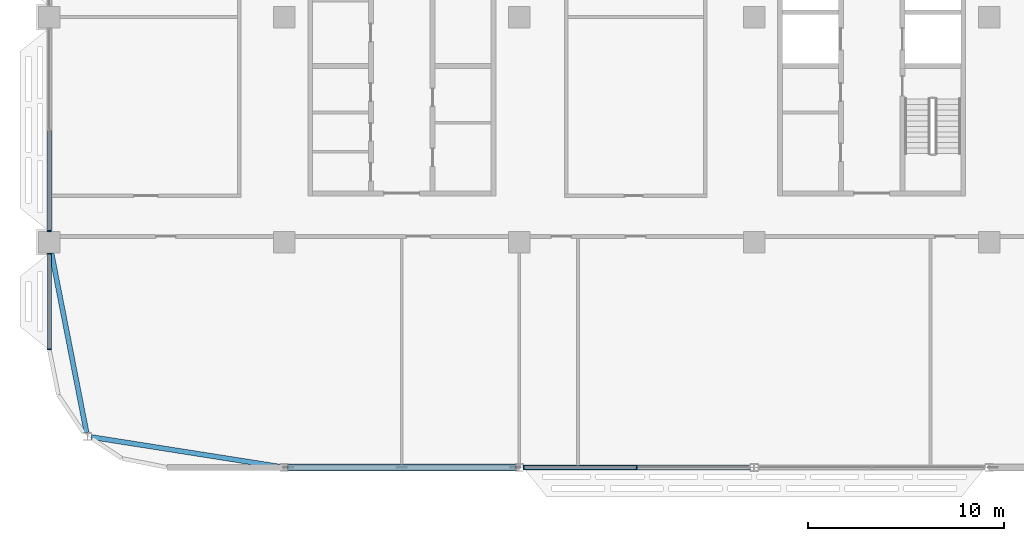
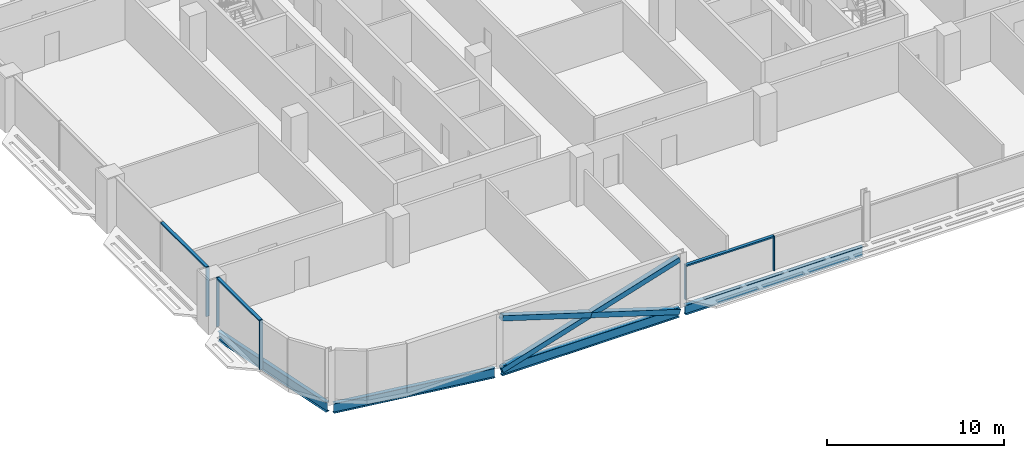
# One storey, part 4 of 30: 11 members, 4 beams, 3 elements without a shape of their own.
"""IFC4 building model written with IfcOpenShell, lengths in metres."""

from ifc_helpers import new_model, si_unit, direction, frame, origin, origin_2d, place, context, subcontext, project, spatial, rectangle, hollow_rectangle, i_section, extrude, material, material_profile, profile_set, type_object, element, aggregate, save


model = new_model("IFC4")

# Units and contexts
model_context = context("Model", 3, precision=1e-05, world=origin(), true_north=direction((0.0, 1.0)))
body_context = subcontext(model_context, "Body", "Model", "MODEL_VIEW")
ifc_project = project(units=[si_unit("LENGTHUNIT", "METRE"), si_unit("AREAUNIT", "SQUARE_METRE"), si_unit("VOLUMEUNIT", "CUBIC_METRE"), si_unit("PLANEANGLEUNIT", "RADIAN"), si_unit("MASSUNIT", "GRAM", prefix="KILO")], contexts=[model_context])

# Site, building, storey
site_placement = place(None, origin())
site = spatial("IfcSite", under=ifc_project, at=site_placement, CompositionType="ELEMENT")
building_placement = place(site_placement, origin())
building = spatial("IfcBuilding", under=site, at=building_placement, Name="Mahtab Terrace Research Tower", CompositionType="ELEMENT")
storey_placement = place(building_placement, frame((0.0, 0.0, 220.5)))
storey = spatial("IfcBuildingStorey", under=building, at=storey_placement, Name="L53", CompositionType="ELEMENT", Elevation=220.5)

# Members
ifc_material_1 = material(Name="Steel ASTM A500 Gr C", Category="steel")
ifc_material_profile_1 = material_profile(ifc_material_1, hollow_rectangle(XDim=0.355712890625, YDim=0.355712890625, WallThickness=0.015869140625, at=origin_2d()), Name="HSS14X14X5/8")
ifc_profile_set_1 = profile_set([ifc_material_profile_1], Name="Steel ASTM A500 Gr C")
member_type_1 = type_object("IfcMemberType", Name="HSS 14x14x5/8 brace XB141458", PredefinedType="BRACE", material=ifc_profile_set_1)
member_1_placement = place(storey_placement, frame((-29.79931640625, -23.0, -0.616455078125), z_axis=(0.954709972543, 0.0, 0.297538011566), x_axis=(0.0, 1.0, 0.0)))
element("IfcMember", 1, at=member_1_placement, inside=storey, type_object=member_type_1, Name="Exoskeleton brace L53 14 a", PredefinedType="BRACE", context=body_context, shape_type="SweptSolid", body=[
    extrude(hollow_rectangle(XDim=0.355712890625, YDim=0.355712890625, WallThickness=0.015869140625, at=origin_2d()), origin(), (0.0, 0.0, 1.0), 12.14892578125),
])
for number, where, z_axis, x_axis, name in (
    (2, (-18.20068359375, -23.0, -0.616455078125), (-0.954709972543, 0.0, 0.297538011566), (0.0, -1.0, 0.0), "Exoskeleton brace L53 14 b1"),
    (3, (-24.0, -23.0, 1.19091796875), (-0.954709972543, 0.0, 0.297538011566), (0.0, -1.0, 0.0), "Exoskeleton brace L53 14 b2"),
):
    element("IfcMember", number, at=place(storey_placement, frame(where, z_axis=z_axis, x_axis=x_axis)), inside=storey, type_object=member_type_1, Name=name, PredefinedType="BRACE", context=body_context, shape_type="SweptSolid", body=[
        extrude(hollow_rectangle(XDim=0.355712890625, YDim=0.355712890625, WallThickness=0.015869140625, at=origin_2d()), origin(), (0.0, 0.0, 1.0), 6.074462890625),
    ])

# Curtain wall, member
ifc_material_2 = material(Name="Laboratory ribbon curtain wall")
curtain_wall_type = type_object("IfcCurtainWallType", Name="Laboratory ribbon curtain wall", PredefinedType="NOTDEFINED", material=ifc_material_2)
curtain_wall_1_placement = place(storey_placement, origin())
curtain_wall_1 = element("IfcCurtainWall", 4, at=curtain_wall_1_placement, inside=storey, type_object=curtain_wall_type, Name="EN.L53.8.17", PredefinedType="NOTDEFINED")
ifc_material_3 = material(Name="Natural anodised aluminium", Category="aluminium")
ifc_material_profile_2 = material_profile(ifc_material_3, rectangle(XDim=0.199951171875, YDim=0.06494140625, at=origin_2d()), Name="MULLION 65x200")
ifc_profile_set_2 = profile_set([ifc_material_profile_2], Name="Natural anodised aluminium")
member_type_2 = type_object("IfcMemberType", Name="Laboratory ribbon curtain wall mullion", PredefinedType="MULLION", material=ifc_profile_set_2)
member_2_placement = place(storey_placement, frame((-42.0, -10.91748046875, 0.0), z_axis=(0.0, 0.0, 1.0), x_axis=(1.0, 0.0, 0.0)))
member_2 = element("IfcMember", 5, at=member_2_placement, type_object=member_type_2, Name="CWL-6 mullion 3", PredefinedType="MULLION", context=body_context, shape_type="SweptSolid", body=[
    extrude(rectangle(XDim=0.199951171875, YDim=0.06494140625, at=origin_2d()), origin(), (0.0, 0.0, 1.0), 3.39990234375),
])

# Curtain wall, members
curtain_wall_2_placement = place(storey_placement, origin())
curtain_wall_2 = element("IfcCurtainWall", 6, at=curtain_wall_2_placement, inside=storey, type_object=curtain_wall_type, Name="EN.L53.8.18", PredefinedType="NOTDEFINED")
member_3_placement = place(storey_placement, frame((-42.0, -12.08251953125, 0.0), z_axis=(0.0, 0.0, 1.0), x_axis=(1.0, 0.0, 0.0)))
member_3 = element("IfcMember", 7, at=member_3_placement, type_object=member_type_2, Name="CWL-6 mullion 1", PredefinedType="MULLION", context=body_context, shape_type="SweptSolid", body=[
    extrude(rectangle(XDim=0.199951171875, YDim=0.06494140625, at=origin_2d()), origin(), (0.0, 0.0, 1.0), 3.39990234375),
])
member_4_placement = place(storey_placement, frame((-42.0, -16.967529296875, 0.0), z_axis=(0.0, 0.0, 1.0), x_axis=(1.0, 0.0, 0.0)))
member_4 = element("IfcMember", 8, at=member_4_placement, type_object=member_type_2, Name="CWL-6 mullion 2", PredefinedType="MULLION", context=body_context, shape_type="SweptSolid", body=[
    extrude(rectangle(XDim=0.199951171875, YDim=0.06494140625, at=origin_2d()), origin(), (0.0, 0.0, 1.0), 3.39990234375),
])

curtain_wall_3_placement = place(storey_placement, origin())
curtain_wall_3 = element("IfcCurtainWall", 9, at=curtain_wall_3_placement, inside=storey, type_object=curtain_wall_type, Name="EN.L53.13.25", PredefinedType="NOTDEFINED")
member_5_placement = place(storey_placement, frame((-17.767578125, -23.0, 0.0), z_axis=(0.0, 0.0, 1.0), x_axis=(0.0, 1.0, 0.0)))
member_5 = element("IfcMember", 10, at=member_5_placement, type_object=member_type_2, Name="CWL-6 mullion 1", PredefinedType="MULLION", context=body_context, shape_type="SweptSolid", body=[
    extrude(rectangle(XDim=0.199951171875, YDim=0.06494140625, at=origin_2d()), origin(), (0.0, 0.0, 1.0), 2.401123046875),
])
member_6_placement = place(storey_placement, frame((-12.0, -23.0, 0.0), z_axis=(0.0, 0.0, 1.0), x_axis=(0.0, 1.0, 0.0)))
member_6 = element("IfcMember", 11, at=member_6_placement, type_object=member_type_2, Name="CWL-6 mullion 2", PredefinedType="MULLION", context=body_context, shape_type="SweptSolid", body=[
    extrude(rectangle(XDim=0.199951171875, YDim=0.06494140625, at=origin_2d()), origin(), (0.0, 0.0, 1.0), 2.401123046875),
])

# Member
ifc_material_profile_3 = material_profile(ifc_material_3, rectangle(XDim=0.199951171875, YDim=0.10009765625, at=origin_2d()), Name="TRANSOM 100x200")
ifc_profile_set_3 = profile_set([ifc_material_profile_3], Name="Natural anodised aluminium")
member_type_3 = type_object("IfcMemberType", Name="Laboratory ribbon curtain wall transom", PredefinedType="USERDEFINED", material=ifc_profile_set_3)
member_7_placement = place(storey_placement, frame((-42.0, -5.782470703125, 3.35009765625), z_axis=(0.0, -1.0, 0.0), x_axis=(1.0, 0.0, 0.0)))
member_7 = element("IfcMember", 12, at=member_7_placement, type_object=member_type_3, Name="CWL-6 transom 2", ObjectType="TRANSOM", PredefinedType="USERDEFINED", context=body_context, shape_type="SweptSolid", body=[
    extrude(rectangle(XDim=0.199951171875, YDim=0.10009765625, at=origin_2d()), origin(), (0.0, 0.0, 1.0), 5.1025390625),
])

aggregate(curtain_wall_1, [member_2, member_7])

member_8_placement = place(storey_placement, frame((-42.0, -12.114990234375, 3.35009765625), z_axis=(0.0, -1.0, 0.0), x_axis=(1.0, 0.0, 0.0)))
member_8 = element("IfcMember", 13, at=member_8_placement, type_object=member_type_3, Name="CWL-6 transom 1", ObjectType="TRANSOM", PredefinedType="USERDEFINED", context=body_context, shape_type="SweptSolid", body=[
    extrude(rectangle(XDim=0.199951171875, YDim=0.10009765625, at=origin_2d()), origin(), (0.0, 0.0, 1.0), 4.820068359375),
])

aggregate(curtain_wall_2, [member_3, member_4, member_8])

member_9_placement = place(storey_placement, frame((-17.735107421875, -23.0, 2.351318359375), z_axis=(1.0, 0.0, 0.0), x_axis=(0.0, 1.0, 0.0)))
member_9 = element("IfcMember", 14, at=member_9_placement, type_object=member_type_3, Name="CWL-6 transom 1", ObjectType="TRANSOM", PredefinedType="USERDEFINED", context=body_context, shape_type="SweptSolid", body=[
    extrude(rectangle(XDim=0.199951171875, YDim=0.10009765625, at=origin_2d()), origin(), (0.0, 0.0, 1.0), 5.70263671875),
])

aggregate(curtain_wall_3, [member_5, member_6, member_9])

# Beams
ifc_material_4 = material(Name="Steel ASTM A992 Gr 50", Category="steel")
ifc_material_profile_4 = material_profile(ifc_material_4, i_section(OverallWidth=0.25390625, OverallDepth=0.67822265625, WebThickness=0.01171875, FlangeThickness=0.016357421875, at=origin_2d()), Name="W27X84")
ifc_profile_set_4 = profile_set([ifc_material_profile_4], Name="Steel ASTM A992 Gr 50")
beam_type = type_object("IfcBeamType", Name="W27x84 beam BS2784", PredefinedType="BEAM", material=ifc_profile_set_4)
beam_1_placement = place(storey_placement, frame((-41.892578125, -12.050048828125, -0.67919921875), z_axis=(0.191811291145, -0.981431825747, 0.0), x_axis=(0.981431825747, 0.191811291145, 0.0)))
element("IfcBeam", 15, at=beam_1_placement, inside=storey, type_object=beam_type, Name="Spandrel beam L53 12", PredefinedType="BEAM", context=body_context, shape_type="SweptSolid", body=[
    extrude(i_section(OverallWidth=0.25390625, OverallDepth=0.67822265625, WebThickness=0.01171875, FlangeThickness=0.016357421875, at=origin_2d()), origin(), (0.0, 0.0, 1.0), 9.33984375),
])
beam_2_placement = place(storey_placement, frame((-39.861328125, -21.447509765625, -0.67919921875), z_axis=(0.987831689273, -0.155526697604, 0.0), x_axis=(0.155526697604, 0.987831689273, 0.0)))
element("IfcBeam", 16, at=beam_2_placement, inside=storey, type_object=beam_type, Name="Spandrel beam L53 13", PredefinedType="BEAM", context=body_context, shape_type="SweptSolid", body=[
    extrude(i_section(OverallWidth=0.25390625, OverallDepth=0.67822265625, WebThickness=0.01171875, FlangeThickness=0.016357421875, at=origin_2d()), origin(), (0.0, 0.0, 1.0), 9.779541015625),
])
for number, where, z_axis, x_axis, name in (
    (17, (-29.79931640625, -23.0, -0.67919921875), (1.0, 0.0, 0.0), (0.0, 1.0, 0.0), "Spandrel beam L53 14"),
    (18, (-17.79931640625, -23.0, -0.67919921875), (1.0, 0.0, 0.0), (0.0, 1.0, 0.0), "Spandrel beam L53 15"),
):
    element("IfcBeam", number, at=place(storey_placement, frame(where, z_axis=z_axis, x_axis=x_axis)), inside=storey, type_object=beam_type, Name=name, PredefinedType="BEAM", context=body_context, shape_type="SweptSolid", body=[
        extrude(i_section(OverallWidth=0.25390625, OverallDepth=0.67822265625, WebThickness=0.01171875, FlangeThickness=0.016357421875, at=origin_2d()), origin(), (0.0, 0.0, 1.0), 11.5986328125),
    ])

save(model, "model.ifc")
